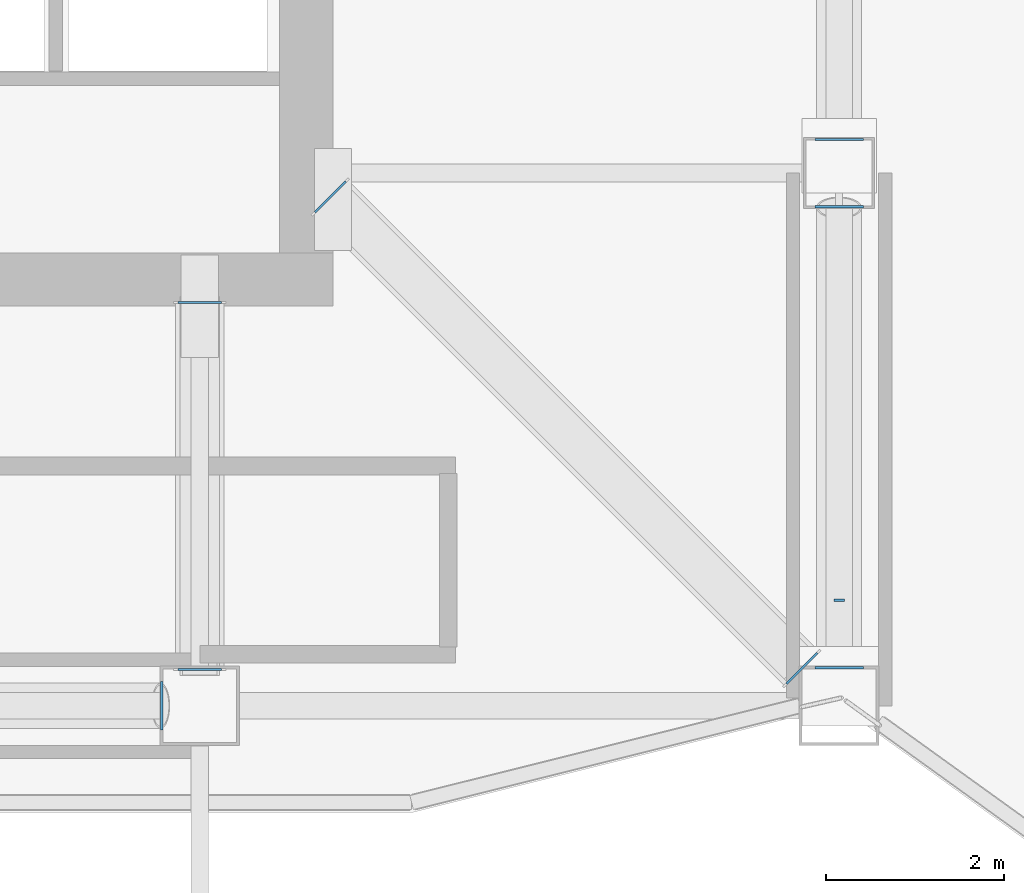
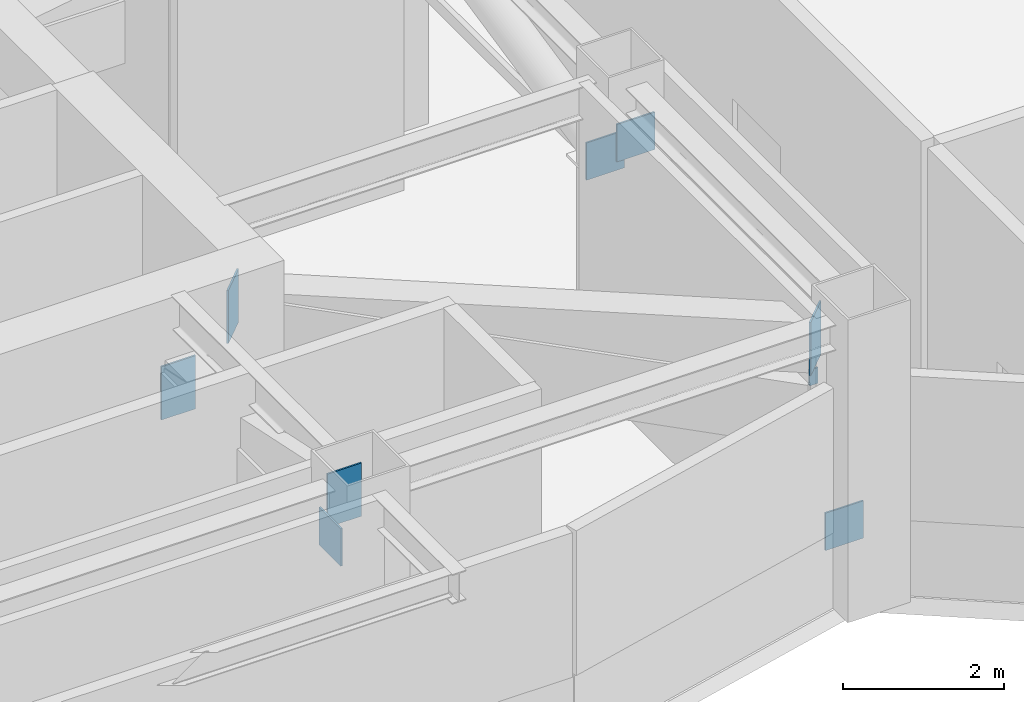
# One storey, part 9 of 19: 9 plates.
"""IFC4 building model written with IfcOpenShell, lengths in metres."""

from ifc_helpers import new_model, si_unit, direction, frame, origin, origin_2d, place, context, subcontext, project, spatial, rectangle, extrude, material, layer, layer_set, type_object, element, save


model = new_model("IFC4")

# Units and contexts
model_context = context("Model", 3, precision=1e-05, world=origin(), true_north=direction((0.0, 1.0)))
body_context = subcontext(model_context, "Body", "Model", "MODEL_VIEW")
ifc_project = project(units=[si_unit("LENGTHUNIT", "METRE"), si_unit("AREAUNIT", "SQUARE_METRE"), si_unit("VOLUMEUNIT", "CUBIC_METRE"), si_unit("PLANEANGLEUNIT", "RADIAN"), si_unit("MASSUNIT", "GRAM", prefix="KILO")], contexts=[model_context])

# Site, building, storey
site_placement = place(None, origin())
site = spatial("IfcSite", under=ifc_project, at=site_placement, CompositionType="ELEMENT")
building_placement = place(site_placement, origin())
building = spatial("IfcBuilding", under=site, at=building_placement, Name="Haolan Belvedere Tower", CompositionType="ELEMENT")
storey_placement = place(building_placement, frame((0.0, 0.0, 230.60009765625)))
storey = spatial("IfcBuildingStorey", under=building, at=storey_placement, Name="L58", CompositionType="ELEMENT", Elevation=230.60009765625)

# Plates
ifc_material = material(Name="Steel Q355B", Category="steel")
ifc_layer = layer(ifc_material, 0.02490234375, Name="Steel Q355B")
ifc_layer_set = layer_set([ifc_layer], Name="Steel Q355B")
plate_type = type_object("IfcPlateType", Name="PL-CAP-25", PredefinedType="SHEET", material=ifc_layer_set)
for number, where, z_axis, x_axis, name in (
    (1, (47.070068359375, 27.330078125, 2.513427734375), (0.0, 0.0, 1.0), (-0.707106781187, -0.707106781187, 0.0), "Hollow steel end-cap plate OR-E2-L58-DG-CAP0"),
    (2, (52.3798828125, 22.02001953125, 3.38623046875), (0.0, 0.0, 1.0), (0.707106781187, 0.707106781187, 0.0), "Hollow steel end-cap plate OR-E2-L58-DG-CAP1"),
    (3, (45.60009765625, 26.142333984375, 2.51220703125), (0.0, 0.0, 1.0), (-1.0, 0.0, 0.0), "Hollow steel end-cap plate OR-S2-L58-DG-CAP0"),
    (4, (45.60009765625, 22.0078125, 3.387451171875), (0.0, 0.0, 1.0), (1.0, 0.0, 0.0), "Hollow steel end-cap plate OR-S2-L58-DG-CAP1"),
):
    element("IfcPlate", number, at=place(storey_placement, frame(where, z_axis=z_axis, x_axis=x_axis)), inside=storey, type_object=plate_type, Name=name, PredefinedType="SHEET", context=body_context, shape_type="SweptSolid", body=[
        extrude(rectangle(XDim=0.489990234375, YDim=0.02490234375, at=origin_2d()), origin(), (0.0, 0.0, 1.0), 0.81005859375),
    ])
for number, where, z_axis, x_axis, name in (
    (5, (52.800048828125, 22.029052734375, 0.509765625), (0.0, 0.0, 1.0), (1.0, 0.0, 0.0), "Hollow steel end-cap plate BT-E1-L58-CAP0"),
    (6, (52.800048828125, 27.220947265625, 3.271484375), (0.0, 0.0, 1.0), (-1.0, 0.0, 0.0), "Hollow steel end-cap plate BT-E1-L58-CAP1"),
    (7, (52.800048828125, 27.977783203125, 2.533203125), (0.0, 0.0, 1.0), (1.0, 0.0, 0.0), "Hollow steel end-cap plate BT-E2-L58-CAP0"),
    (8, (45.17138671875, 21.60009765625, 3.27099609375), (0.0, 0.0, 1.0), (0.0, 1.0, 0.0), "Hollow steel end-cap plate BT-S2-L58-CAP1"),
):
    element("IfcPlate", number, at=place(storey_placement, frame(where, z_axis=z_axis, x_axis=x_axis)), inside=storey, type_object=plate_type, Name=name, PredefinedType="SHEET", context=body_context, shape_type="SweptSolid", body=[
        extrude(rectangle(XDim=0.548095703125, YDim=0.02490234375, at=origin_2d()), origin(), (0.0, 0.0, 1.0), 0.568115234375),
    ])
plate_placement = place(storey_placement, frame((52.800048828125, 22.78759765625, 2.47998046875), z_axis=(0.0, 0.0, 1.0), x_axis=(1.0, 0.0, 0.0)))
element("IfcPlate", 9, at=plate_placement, inside=storey, type_object=plate_type, Name="Hollow steel end-cap plate GIRT-L58-GE-CAP0", PredefinedType="SHEET", context=body_context, shape_type="SweptSolid", body=[
    extrude(rectangle(XDim=0.1201171875, YDim=0.02490234375, at=origin_2d()), origin(), (0.0, 0.0, 1.0), 0.239990234375),
])

save(model, "model.ifc")
